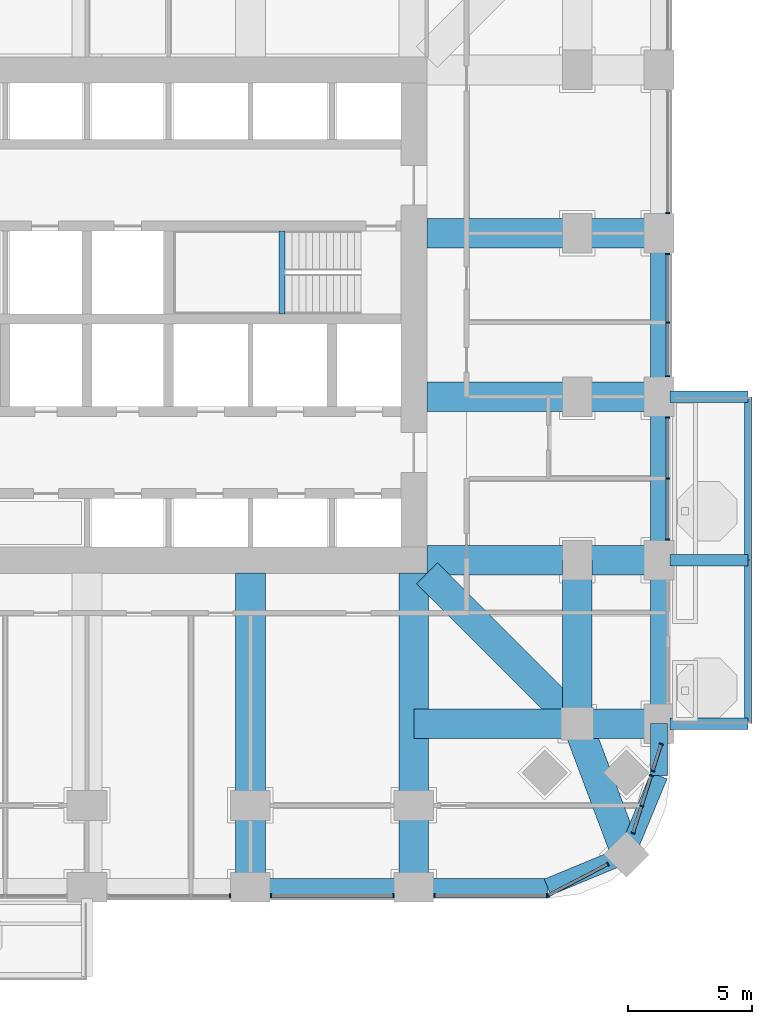
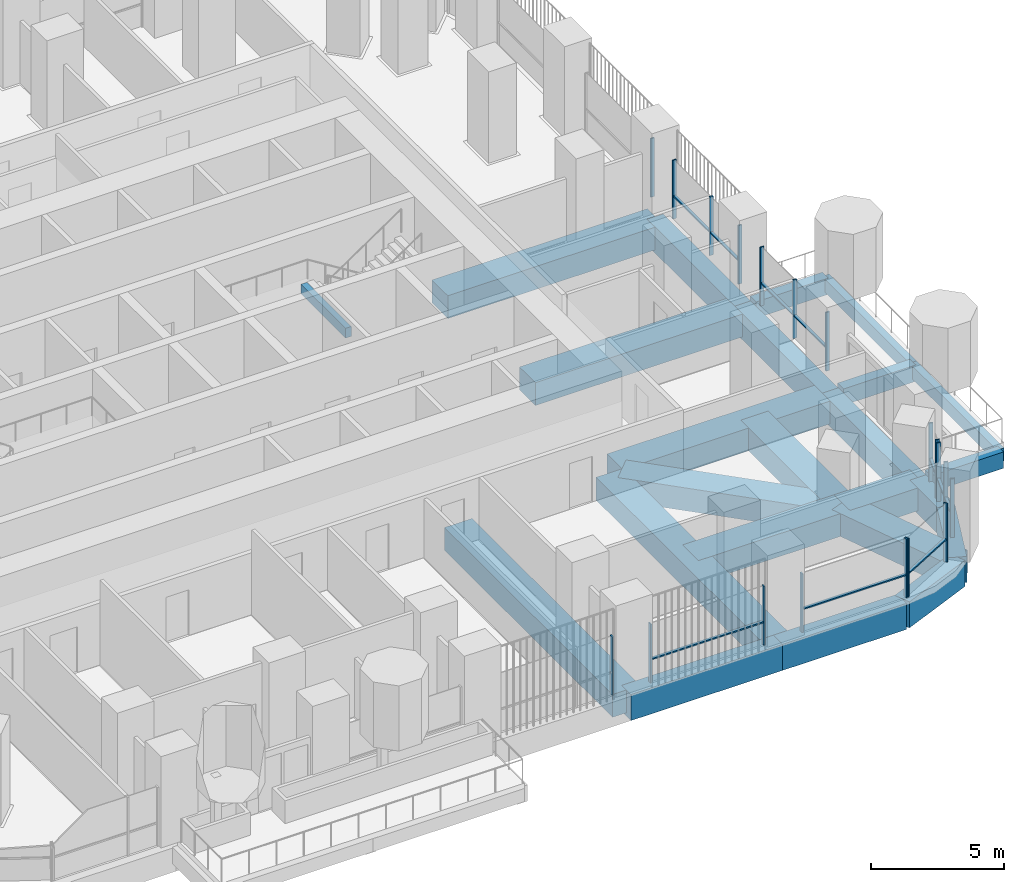
# One storey, part 5 of 21: 29 members, 24 beams, 9 elements without a shape of their own.
"""IFC4 building model written with IfcOpenShell, lengths in metres."""

import ifcopenshell
import ifcopenshell.guid

model = None  # the IFC model being written
_history = None  # IfcOwnerHistory: only IFC2X3 demands one
_inside = {}  # id of a spatial element -> (the spatial element, [elements in it])
_under = {}  # id of a project, library or spatial element -> (it, [spatial elements below it])
_declared = {}  # id of a project -> (the project, [libraries it declares])
_typed = {}  # id of a type object -> (the type object, [elements of that type])
_made_of = {}  # id of a material, layer set ... -> (it, [elements and type objects made of it])


def new_model(schema):
    """Start an empty IFC model of exactly this schema.

    Asked for "IFC4X3", IfcOpenShell would pick the latest addendum, in which some entities
    have other attributes; the version numbers below select the first issue.
    IFC2X3 requires an IfcOwnerHistory on every rooted entity: one is made here for all.
    """
    global model, _history
    if schema == "IFC4X3":
        model = ifcopenshell.file(schema_version=(4, 3, 0, 0))
    else:
        model = ifcopenshell.file(schema=schema)
    _inside.clear()
    _under.clear()
    _declared.clear()
    _typed.clear()
    _made_of.clear()
    _history = None
    if model.schema == "IFC2X3":
        org = make("IfcOrganization", Name="unknown")
        user = make(
            "IfcPersonAndOrganization",
            ThePerson=make("IfcPerson", FamilyName="unknown"),
            TheOrganization=org,
        )
        app = make(
            "IfcApplication",
            ApplicationDeveloper=org,
            Version="unknown",
            ApplicationFullName="unknown",
            ApplicationIdentifier="unknown",
        )
        _history = make(
            "IfcOwnerHistory",
            OwningUser=user,
            OwningApplication=app,
            ChangeAction="ADDED",
            CreationDate=0,
        )
    return model


def make(cls, **values):
    """One entity of the class cls with the attributes given. An attribute that is None is left unset."""
    return model.create_entity(
        cls, **{name: value for name, value in values.items() if value is not None}
    )


def rooted(cls, **values):
    """An entity with a GlobalId (a new one), such as an element, a storey or a relation."""
    return make(cls, GlobalId=ifcopenshell.guid.new(), OwnerHistory=_history, **values)


def si_unit(unit_type, name, prefix=None):
    """IfcSIUnit, for example si_unit("LENGTHUNIT", "METRE", prefix="MILLI")."""
    return make("IfcSIUnit", UnitType=unit_type, Prefix=prefix, Name=name)


def assignment(units):
    """IfcUnitAssignment: the units of a project."""
    return None if units is None else make("IfcUnitAssignment", Units=units)


def point(xyz):
    """IfcCartesianPoint."""
    return None if xyz is None else make("IfcCartesianPoint", Coordinates=xyz)


def direction(xyz):
    """IfcDirection."""
    return None if xyz is None else make("IfcDirection", DirectionRatios=xyz)


def frame(location, z_axis=None, x_axis=None):
    """IfcAxis2Placement3D, a coordinate frame: its origin and axes. An axis left out is left unset."""
    return make(
        "IfcAxis2Placement3D",
        Location=point(location),
        Axis=direction(z_axis),
        RefDirection=direction(x_axis),
    )


def frame_2d(location, x_axis=None):
    """IfcAxis2Placement2D, a coordinate frame in the plane: its origin and x axis."""
    return make(
        "IfcAxis2Placement2D", Location=point(location), RefDirection=direction(x_axis)
    )


def origin():
    """The frame at (0, 0, 0) with its axes left unset."""
    return frame((0.0, 0.0, 0.0))


def origin_2d():
    """The frame at (0, 0) in the plane with its x axis left unset."""
    return frame_2d((0.0, 0.0))


def place(relative_to, where):
    """IfcLocalPlacement: puts the frame where relative to a parent placement (None: the world)."""
    return make(
        "IfcLocalPlacement", PlacementRelTo=relative_to, RelativePlacement=where
    )


def context(
    kind, dimensions, precision=None, world=None, true_north=None, identifier=None
):
    """IfcGeometricRepresentationContext, for example the 3D "Model" context."""
    return make(
        "IfcGeometricRepresentationContext",
        ContextIdentifier=identifier,
        ContextType=kind,
        CoordinateSpaceDimension=dimensions,
        Precision=precision,
        WorldCoordinateSystem=world,
        TrueNorth=true_north,
    )


def subcontext(parent, identifier, kind, view, scale=None):
    """IfcGeometricRepresentationSubContext, for example "Body" below "Model"."""
    return make(
        "IfcGeometricRepresentationSubContext",
        ContextIdentifier=identifier,
        ContextType=kind,
        ParentContext=parent,
        TargetScale=scale,
        TargetView=view,
    )


def project(units=None, contexts=None):
    """IfcProject with its units and contexts."""
    return rooted(
        "IfcProject",
        Name="project",
        RepresentationContexts=contexts,
        UnitsInContext=assignment(units),
    )


def spatial(cls, under=None, at=None, **own):
    """A site, building, storey or space (cls), placed at a placement, below another one or the project."""
    s = rooted(cls, ObjectPlacement=at, **own)
    if under is not None:
        _under.setdefault(under.id(), (under, []))[1].append(s)
    return s


def profile(cls, at=None, kind="AREA", **sizes):
    """A parametric profile (cls). Its sizes go by their IFC names, for example OverallWidth=200.0."""
    return make(cls, ProfileType=kind, Position=at, **sizes)


def rectangle(**sizes):
    """IfcRectangleProfileDef."""
    return profile("IfcRectangleProfileDef", **sizes)


def extrude(swept, where, along, depth):
    """IfcExtrudedAreaSolid: the profile swept, set in the frame where, extruded along a direction by depth."""
    return make(
        "IfcExtrudedAreaSolid",
        SweptArea=swept,
        Position=where,
        ExtrudedDirection=direction(along),
        Depth=depth,
    )


def shape(context_of_items, identifier, shape_type, items):
    """IfcShapeRepresentation: the items that make up one representation, for example the "Body"."""
    return make(
        "IfcShapeRepresentation",
        ContextOfItems=context_of_items,
        RepresentationIdentifier=identifier,
        RepresentationType=shape_type,
        Items=items,
    )


def material(Name=None, Category=None):
    """IfcMaterial."""
    return make("IfcMaterial", Name=Name, Category=Category)


def material_profile(
    of_material, cross_section, Name=None, Category=None, Priority=None
):
    """IfcMaterialProfile: a cross section and its material."""
    return make(
        "IfcMaterialProfile",
        Name=Name,
        Material=of_material,
        Profile=cross_section,
        Priority=Priority,
        Category=Category,
    )


def profile_set(profiles, Name=None, composite=None):
    """IfcMaterialProfileSet."""
    return make(
        "IfcMaterialProfileSet",
        Name=Name,
        MaterialProfiles=profiles,
        CompositeProfile=composite,
    )


def made_of(thing, what):
    """Note that an element or type object is made of a material, layer set ...; save() writes the relation."""
    if what is not None:
        _made_of.setdefault(what.id(), (what, []))[1].append(thing)
    return thing


def type_object(cls, material=None, **own):
    """A type object (cls), such as IfcWallType, which elements share."""
    return made_of(rooted(cls, **own), material)


def element(
    cls,
    number,
    at=None,
    inside=None,
    cuts=None,
    type_object=None,
    material=None,
    context=None,
    identifier="Body",
    shape_type=None,
    held_by="IfcProductDefinitionShape",
    body=None,
    shapes=None,
    **own,
):
    """One element of the class cls, such as IfcWall. Its Tag is "e" and its number.

    at: its placement. inside: the storey or other place that contains it. cuts: it is an
    opening in that element (IfcRelVoidsElement). A single representation is given by context,
    identifier, shape_type and body (its items); several are given by shapes. held_by: the class
    of the entity that holds the representations. save() writes the other relations.
    """
    e = rooted(cls, Tag="e%d" % number, ObjectPlacement=at, **own)
    if body is not None:
        shapes = [shape(context, identifier, shape_type, body)]
    if shapes is not None:
        e.Representation = make(held_by, Representations=shapes)
    if inside is not None:
        _inside.setdefault(inside.id(), (inside, []))[1].append(e)
    if cuts is not None:
        rooted(
            "IfcRelVoidsElement", RelatingBuildingElement=cuts, RelatedOpeningElement=e
        )
    if type_object is not None:
        _typed.setdefault(type_object.id(), (type_object, []))[1].append(e)
    return made_of(e, material)


def aggregate(whole, parts):
    """IfcRelAggregates: a whole, such as a stair, and the parts it consists of."""
    return rooted("IfcRelAggregates", RelatingObject=whole, RelatedObjects=parts)


def save(model, path):
    """Write the relations noted so far, then the file.

    IfcRelAggregates (storeys below a building ...), IfcRelContainedInSpatialStructure (elements
    in a storey), IfcRelDefinesByType, IfcRelAssociatesMaterial and IfcRelDeclares: one each for
    every whole, place, type object, material and project.
    """
    for whole, parts in _under.values():
        aggregate(whole, parts)
    for where, things in _inside.values():
        rooted(
            "IfcRelContainedInSpatialStructure",
            RelatedElements=things,
            RelatingStructure=where,
        )
    for kind, things in _typed.values():
        rooted("IfcRelDefinesByType", RelatedObjects=things, RelatingType=kind)
    for what, things in _made_of.values():
        rooted("IfcRelAssociatesMaterial", RelatedObjects=things, RelatingMaterial=what)
    for by, libraries in _declared.values():
        rooted("IfcRelDeclares", RelatingContext=by, RelatedDefinitions=libraries)
    model.write(path)


model = new_model("IFC4")

# Units and contexts
model_context = context("Model", 3, precision=1e-05, world=origin(), true_north=direction((0.0, 1.0)))
body_context = subcontext(model_context, "Body", "Model", "MODEL_VIEW")
ifc_project = project(units=[si_unit("LENGTHUNIT", "METRE"), si_unit("AREAUNIT", "SQUARE_METRE"), si_unit("VOLUMEUNIT", "CUBIC_METRE"), si_unit("PLANEANGLEUNIT", "RADIAN"), si_unit("MASSUNIT", "GRAM", prefix="KILO")], contexts=[model_context])

# Site, building, storey
site_placement = place(None, origin())
site = spatial("IfcSite", under=ifc_project, at=site_placement, CompositionType="ELEMENT")
building_placement = place(site_placement, origin())
building = spatial("IfcBuilding", under=site, at=building_placement, Name="Cobogo Forest Laboratory Tower", CompositionType="ELEMENT")
storey_placement = place(building_placement, frame((0.0, 0.0, 99.0)))
storey = spatial("IfcBuildingStorey", under=building, at=storey_placement, Name="L22", CompositionType="ELEMENT", Elevation=99.0)

# Beams
ifc_material_1 = material(Name="Concrete HA-40 (C40/50)", Category="concrete")
ifc_material_profile_1 = material_profile(ifc_material_1, rectangle(XDim=0.449951171875, YDim=0.75, at=origin_2d()), Name="RC 450x750")
ifc_profile_set_1 = profile_set([ifc_material_profile_1], Name="Concrete HA-40 (C40/50)")
beam_type_1 = type_object("IfcBeamType", Name="Balcony cantilever beam 450x750", PredefinedType="BEAM", material=ifc_profile_set_1)
for number, where, z_axis, x_axis, name in (
    (1, (49.949951171875, 6.60009765625, -0.625), (1.0, 0.0, 0.0), (0.0, 1.0, 0.0), "CB1 BAL-E1-C1 L22"),
    (2, (49.949951171875, 13.199951171875, -0.625), (1.0, 0.0, 0.0), (0.0, 1.0, 0.0), "CB1 BAL-E1-C2 L22"),
    (3, (49.949951171875, 19.800048828125, -0.625), (1.0, 0.0, 0.0), (0.0, 1.0, 0.0), "CB1 BAL-E1-C3 L22"),
):
    element("IfcBeam", number, at=place(storey_placement, frame(where, z_axis=z_axis, x_axis=x_axis)), inside=storey, type_object=beam_type_1, Name=name, PredefinedType="BEAM", context=body_context, shape_type="SweptSolid", body=[
        extrude(rectangle(XDim=0.449951171875, YDim=0.75, at=origin_2d()), origin(), (0.0, 0.0, 1.0), 3.150146484375),
    ])
ifc_material_profile_2 = material_profile(ifc_material_1, rectangle(XDim=0.300048828125, YDim=0.60009765625, at=origin_2d()), Name="RC 300x600")
ifc_profile_set_2 = profile_set([ifc_material_profile_2], Name="Concrete HA-40 (C40/50)")
beam_type_2 = type_object("IfcBeamType", Name="Balcony edge beam 300x600", PredefinedType="BEAM", material=ifc_profile_set_2)
beam_1_placement = place(storey_placement, frame((53.10009765625, 6.60009765625, -0.550048828125), z_axis=(0.0, 1.0, 0.0), x_axis=(-1.0, 0.0, 0.0)))
element("IfcBeam", 4, at=beam_1_placement, inside=storey, type_object=beam_type_2, Name="BB1 BAL-E1-T1 L22", PredefinedType="BEAM", context=body_context, shape_type="SweptSolid", body=[
    extrude(rectangle(XDim=0.300048828125, YDim=0.60009765625, at=origin_2d()), origin(), (0.0, 0.0, 1.0), 6.599853515625),
])
beam_2_placement = place(storey_placement, frame((53.10009765625, 13.199951171875, -0.550048828125), z_axis=(0.0, 1.0, 0.0), x_axis=(-1.0, 0.0, 0.0)))
element("IfcBeam", 5, at=beam_2_placement, inside=storey, type_object=beam_type_2, Name="BB1 BAL-E1-T2 L22", PredefinedType="BEAM", context=body_context, shape_type="SweptSolid", body=[
    extrude(rectangle(XDim=0.300048828125, YDim=0.60009765625, at=origin_2d()), origin(), (0.0, 0.0, 1.0), 6.60009765625),
])
ifc_material_profile_3 = material_profile(ifc_material_1, rectangle(XDim=0.25, YDim=0.449951171875, at=origin_2d()), Name="RC 250x450")
ifc_profile_set_3 = profile_set([ifc_material_profile_3], Name="Concrete HA-40 (C40/50)")
beam_type_3 = type_object("IfcBeamType", Name="LB1 landing beam 250x450", PredefinedType="BEAM", material=ifc_profile_set_3)
beam_3_placement = place(storey_placement, frame((34.27001953125, 23.14990234375, 1.675048828125), z_axis=(0.0, 1.0, 0.0), x_axis=(-1.0, 0.0, 0.0)))
element("IfcBeam", 6, at=beam_3_placement, inside=storey, type_object=beam_type_3, Name="Landing beam ST2 L22", PredefinedType="BEAM", context=body_context, shape_type="SweptSolid", body=[
    extrude(rectangle(XDim=0.25, YDim=0.449951171875, at=origin_2d()), origin(), (0.0, 0.0, 1.0), 3.35009765625),
])
ifc_material_profile_4 = material_profile(ifc_material_1, rectangle(XDim=1.199951171875, YDim=1.050048828125, at=origin_2d()), Name="RC 1200x1050")
ifc_profile_set_4 = profile_set([ifc_material_profile_4], Name="Concrete HA-40 (C40/50)")
beam_type_4 = type_object("IfcBeamType", Name="Laboratory floor wide beam 1200x1050", PredefinedType="BEAM", material=ifc_profile_set_4)
for number, where, z_axis, x_axis, name in (
    (7, (33.0, 12.675048828125, -0.824951171875), (0.0, -1.0, 0.0), (1.0, 0.0, 0.0), "RB1 R-6-S L22"),
    (8, (39.60009765625, 12.675048828125, -0.824951171875), (0.0, -1.0, 0.0), (1.0, 0.0, 0.0), "RB1 R-7-S L22"),
):
    element("IfcBeam", number, at=place(storey_placement, frame(where, z_axis=z_axis, x_axis=x_axis)), inside=storey, type_object=beam_type_4, Name=name, PredefinedType="BEAM", context=body_context, shape_type="SweptSolid", body=[
        extrude(rectangle(XDim=1.199951171875, YDim=1.050048828125, at=origin_2d()), origin(), (0.0, 0.0, 1.0), 12.675048828125),
    ])
for number, where, z_axis, x_axis, name in (
    (9, (40.125, 13.199951171875, -0.824951171875), (1.0, 0.0, 0.0), (0.0, 1.0, 0.0), "RB1 R-C-E L22"),
    (10, (40.125, 19.800048828125, -0.824951171875), (1.0, 0.0, 0.0), (0.0, 1.0, 0.0), "RB1 R-D-E L22"),
    (11, (40.125, 26.39990234375, -0.824951171875), (1.0, 0.0, 0.0), (0.0, 1.0, 0.0), "RB1 R-E-E L22"),
):
    element("IfcBeam", number, at=place(storey_placement, frame(where, z_axis=z_axis, x_axis=x_axis)), inside=storey, type_object=beam_type_4, Name=name, PredefinedType="BEAM", context=body_context, shape_type="SweptSolid", body=[
        extrude(rectangle(XDim=1.199951171875, YDim=1.050048828125, at=origin_2d()), origin(), (0.0, 0.0, 1.0), 9.375),
    ])
beam_4_placement = place(storey_placement, frame((46.199951171875, 6.60009765625, -0.824951171875), z_axis=(0.0, 1.0, 0.0), x_axis=(-1.0, 0.0, 0.0)))
element("IfcBeam", 12, at=beam_4_placement, inside=storey, type_object=beam_type_4, Name="RB1 G-SE-XC L22", PredefinedType="BEAM", context=body_context, shape_type="SweptSolid", body=[
    extrude(rectangle(XDim=1.199951171875, YDim=1.050048828125, at=origin_2d()), origin(), (0.0, 0.0, 1.0), 6.599853515625),
])
beam_5_placement = place(storey_placement, frame((49.5, 6.60009765625, -0.824951171875), z_axis=(-1.0, 0.0, 0.0), x_axis=(0.0, -1.0, 0.0)))
element("IfcBeam", 13, at=beam_5_placement, inside=storey, type_object=beam_type_4, Name="RB1 G-SE-YF L22", PredefinedType="BEAM", context=body_context, shape_type="SweptSolid", body=[
    extrude(rectangle(XDim=1.199951171875, YDim=1.050048828125, at=origin_2d()), origin(), (0.0, 0.0, 1.0), 3.300048828125),
])
beam_6_placement = place(storey_placement, frame((46.199951171875, 6.60009765625, -0.824951171875), z_axis=(-1.0, 0.0, 0.0), x_axis=(0.0, -1.0, 0.0)))
element("IfcBeam", 14, at=beam_6_placement, inside=storey, type_object=beam_type_4, Name="RB1 G-SE-YC L22", PredefinedType="BEAM", context=body_context, shape_type="SweptSolid", body=[
    extrude(rectangle(XDim=1.199951171875, YDim=1.050048828125, at=origin_2d()), origin(), (0.0, 0.0, 1.0), 6.599853515625),
])
beam_7_placement = place(storey_placement, frame((48.181884765625, 1.318115234375, -0.824951171875), z_axis=(-0.351308391925, 0.936259800356, 0.0), x_axis=(-0.936259800356, -0.351308391925, 0.0)))
element("IfcBeam", 15, at=beam_7_placement, inside=storey, type_object=beam_type_4, Name="RB1 G-SE-D1 L22", PredefinedType="BEAM", context=body_context, shape_type="SweptSolid", body=[
    extrude(rectangle(XDim=1.199951171875, YDim=1.050048828125, at=origin_2d()), origin(), (0.0, 0.0, 1.0), 5.6416015625),
])
beam_8_placement = place(storey_placement, frame((46.199951171875, 6.60009765625, -0.824951171875), z_axis=(-0.707106781187, 0.707106781187, 0.0), x_axis=(-0.707106781187, -0.707106781187, 0.0)))
element("IfcBeam", 16, at=beam_8_placement, inside=storey, type_object=beam_type_4, Name="RB1 G-SE-D2 L22", PredefinedType="BEAM", context=body_context, shape_type="SweptSolid", body=[
    extrude(rectangle(XDim=1.199951171875, YDim=1.050048828125, at=origin_2d()), origin(), (0.0, 0.0, 1.0), 8.59130859375),
])

# Curtain wall, member
ifc_material_2 = material(Name="Aluminium curtain wall", Category="aluminium")
curtain_wall_type = type_object("IfcCurtainWallType", Name="CW-1 unitised curtain wall, clear glazing, laboratory floors zones A and B", PredefinedType="USERDEFINED", material=ifc_material_2)
curtain_wall_1_placement = place(storey_placement, origin())
curtain_wall_1 = element("IfcCurtainWall", 17, at=curtain_wall_1_placement, inside=storey, type_object=curtain_wall_type, Name="Curtain wall 04 L22", ObjectType="UNITISED CURTAIN WALL", PredefinedType="USERDEFINED")
ifc_material_3 = material(Name="Aluminium mullion", Category="aluminium")
ifc_material_profile_5 = material_profile(ifc_material_3, rectangle(XDim=0.06005859375, YDim=0.159912109375, at=origin_2d()), Name="AL 60x160")
ifc_profile_set_5 = profile_set([ifc_material_profile_5], Name="Aluminium mullion")
member_type_1 = type_object("IfcMemberType", Name="MU-1 aluminium mullion 60x160", PredefinedType="MULLION", material=ifc_profile_set_5)
member_1_placement = place(storey_placement, frame((32.169921875, -0.35009765625, 0.0), z_axis=(0.0, 0.0, 1.0), x_axis=(1.0, 0.0, 0.0)))
member_1 = element("IfcMember", 18, at=member_1_placement, type_object=member_type_1, Name="CW-1 mullion 3", PredefinedType="MULLION", context=body_context, shape_type="SweptSolid", body=[
    extrude(rectangle(XDim=0.06005859375, YDim=0.159912109375, at=origin_2d()), origin(), (0.0, 0.0, 1.0), 2.699951171875),
])
aggregate(curtain_wall_1, [member_1])

# Curtain wall, members
curtain_wall_2_placement = place(storey_placement, origin())
curtain_wall_2 = element("IfcCurtainWall", 19, at=curtain_wall_2_placement, inside=storey, type_object=curtain_wall_type, Name="Curtain wall 05 L22", ObjectType="UNITISED CURTAIN WALL", PredefinedType="USERDEFINED")
member_2_placement = place(storey_placement, frame((33.830078125, -0.35009765625, 0.0), z_axis=(0.0, 0.0, 1.0), x_axis=(1.0, 0.0, 0.0)))
member_2 = element("IfcMember", 20, at=member_2_placement, type_object=member_type_1, Name="CW-1 mullion 1", PredefinedType="MULLION", context=body_context, shape_type="SweptSolid", body=[
    extrude(rectangle(XDim=0.06005859375, YDim=0.159912109375, at=origin_2d()), origin(), (0.0, 0.0, 1.0), 2.699951171875),
])
member_3_placement = place(storey_placement, frame((38.77001953125, -0.35009765625, 0.0), z_axis=(0.0, 0.0, 1.0), x_axis=(1.0, 0.0, 0.0)))
member_3 = element("IfcMember", 21, at=member_3_placement, type_object=member_type_1, Name="CW-1 mullion 2", PredefinedType="MULLION", context=body_context, shape_type="SweptSolid", body=[
    extrude(rectangle(XDim=0.06005859375, YDim=0.159912109375, at=origin_2d()), origin(), (0.0, 0.0, 1.0), 2.699951171875),
])

curtain_wall_3_placement = place(storey_placement, origin())
curtain_wall_3 = element("IfcCurtainWall", 22, at=curtain_wall_3_placement, inside=storey, type_object=curtain_wall_type, Name="Curtain wall 06 L22", ObjectType="UNITISED CURTAIN WALL", PredefinedType="USERDEFINED")
member_4_placement = place(storey_placement, frame((40.429931640625, -0.35009765625, 0.0), z_axis=(0.0, 0.0, 1.0), x_axis=(1.0, 0.0, 0.0)))
member_4 = element("IfcMember", 23, at=member_4_placement, type_object=member_type_1, Name="CW-1 mullion 1", PredefinedType="MULLION", context=body_context, shape_type="SweptSolid", body=[
    extrude(rectangle(XDim=0.06005859375, YDim=0.159912109375, at=origin_2d()), origin(), (0.0, 0.0, 1.0), 2.699951171875),
])
member_5_placement = place(storey_placement, frame((44.969970703125, -0.35009765625, 0.0), z_axis=(0.0, 0.0, 1.0), x_axis=(1.0, 0.0, 0.0)))
member_5 = element("IfcMember", 24, at=member_5_placement, type_object=member_type_1, Name="CW-1 mullion 2", PredefinedType="MULLION", context=body_context, shape_type="SweptSolid", body=[
    extrude(rectangle(XDim=0.06005859375, YDim=0.159912109375, at=origin_2d()), origin(), (0.0, 0.0, 1.0), 2.699951171875),
])

curtain_wall_4_placement = place(storey_placement, origin())
curtain_wall_4 = element("IfcCurtainWall", 25, at=curtain_wall_4_placement, inside=storey, type_object=curtain_wall_type, Name="Curtain wall 07 L22", ObjectType="UNITISED CURTAIN WALL", PredefinedType="USERDEFINED")
member_6_placement = place(storey_placement, frame((45.026611328125, -0.336181640625, 0.0), z_axis=(0.0, 0.0, 1.0), x_axis=(0.885686547075, 0.464283685186, 0.0)))
member_6 = element("IfcMember", 26, at=member_6_placement, type_object=member_type_1, Name="CW-1 mullion 1", PredefinedType="MULLION", context=body_context, shape_type="SweptSolid", body=[
    extrude(rectangle(XDim=0.06005859375, YDim=0.159912109375, at=origin_2d()), origin(), (0.0, 0.0, 1.0), 2.699951171875),
])
member_7_placement = place(storey_placement, frame((47.431640625, 0.9248046875, 0.0), z_axis=(0.0, 0.0, 1.0), x_axis=(0.885686547075, 0.464283685186, 0.0)))
member_7 = element("IfcMember", 27, at=member_7_placement, type_object=member_type_1, Name="CW-1 mullion 2", PredefinedType="MULLION", context=body_context, shape_type="SweptSolid", body=[
    extrude(rectangle(XDim=0.06005859375, YDim=0.159912109375, at=origin_2d()), origin(), (0.0, 0.0, 1.0), 2.699951171875),
])

curtain_wall_5_placement = place(storey_placement, origin())
curtain_wall_5 = element("IfcCurtainWall", 28, at=curtain_wall_5_placement, inside=storey, type_object=curtain_wall_type, Name="Curtain wall 08 L22", ObjectType="UNITISED CURTAIN WALL", PredefinedType="USERDEFINED")
member_8_placement = place(storey_placement, frame((48.455810546875, 2.18505859375, 0.0), z_axis=(0.0, 0.0, 1.0), x_axis=(0.301135291996, 0.953581425949, 0.0)))
member_8 = element("IfcMember", 29, at=member_8_placement, type_object=member_type_1, Name="CW-1 mullion 1", PredefinedType="MULLION", context=body_context, shape_type="SweptSolid", body=[
    extrude(rectangle(XDim=0.06005859375, YDim=0.159912109375, at=origin_2d()), origin(), (0.0, 0.0, 1.0), 2.699951171875),
])
member_9_placement = place(storey_placement, frame((48.80029296875, 3.27587890625, 0.0), z_axis=(0.0, 0.0, 1.0), x_axis=(0.301135291996, 0.953581425949, 0.0)))
member_9 = element("IfcMember", 30, at=member_9_placement, type_object=member_type_1, Name="CW-1 mullion 2", PredefinedType="MULLION", context=body_context, shape_type="SweptSolid", body=[
    extrude(rectangle(XDim=0.06005859375, YDim=0.159912109375, at=origin_2d()), origin(), (0.0, 0.0, 1.0), 2.699951171875),
])
member_10_placement = place(storey_placement, frame((49.18701171875, 4.500244140625, 0.0), z_axis=(0.0, 0.0, 1.0), x_axis=(0.301135291996, 0.953581425949, 0.0)))
member_10 = element("IfcMember", 31, at=member_10_placement, type_object=member_type_1, Name="CW-1 mullion 3", PredefinedType="MULLION", context=body_context, shape_type="SweptSolid", body=[
    extrude(rectangle(XDim=0.06005859375, YDim=0.159912109375, at=origin_2d()), origin(), (0.0, 0.0, 1.0), 2.699951171875),
])

curtain_wall_6_placement = place(storey_placement, origin())
curtain_wall_6 = element("IfcCurtainWall", 32, at=curtain_wall_6_placement, inside=storey, type_object=curtain_wall_type, Name="Curtain wall 09 L22", ObjectType="UNITISED CURTAIN WALL", PredefinedType="USERDEFINED")
member_11_placement = place(storey_placement, frame((49.247802734375, 4.69287109375, 0.0), z_axis=(0.0, 0.0, 1.0), x_axis=(0.301135667865, 0.953581307252, 0.0)))
member_11 = element("IfcMember", 33, at=member_11_placement, type_object=member_type_1, Name="CW-1 mullion 1", PredefinedType="MULLION", context=body_context, shape_type="SweptSolid", body=[
    extrude(rectangle(XDim=0.06005859375, YDim=0.159912109375, at=origin_2d()), origin(), (0.0, 0.0, 1.0), 2.699951171875),
])
member_12_placement = place(storey_placement, frame((49.58837890625, 5.771484375, 0.0), z_axis=(0.0, 0.0, 1.0), x_axis=(0.301135667865, 0.953581307252, 0.0)))
member_12 = element("IfcMember", 34, at=member_12_placement, type_object=member_type_1, Name="CW-1 mullion 2", PredefinedType="MULLION", context=body_context, shape_type="SweptSolid", body=[
    extrude(rectangle(XDim=0.06005859375, YDim=0.159912109375, at=origin_2d()), origin(), (0.0, 0.0, 1.0), 2.699951171875),
])

curtain_wall_7_placement = place(storey_placement, origin())
curtain_wall_7 = element("IfcCurtainWall", 35, at=curtain_wall_7_placement, inside=storey, type_object=curtain_wall_type, Name="Curtain wall 11 L22", ObjectType="UNITISED CURTAIN WALL", PredefinedType="USERDEFINED")
member_13_placement = place(storey_placement, frame((49.85009765625, 14.030029296875, 0.0), z_axis=(0.0, 0.0, 1.0), x_axis=(0.0, 1.0, 0.0)))
member_13 = element("IfcMember", 36, at=member_13_placement, type_object=member_type_1, Name="CW-1 mullion 1", PredefinedType="MULLION", context=body_context, shape_type="SweptSolid", body=[
    extrude(rectangle(XDim=0.06005859375, YDim=0.159912109375, at=origin_2d()), origin(), (0.0, 0.0, 1.0), 2.699951171875),
])
member_14_placement = place(storey_placement, frame((49.85009765625, 16.5, 0.0), z_axis=(0.0, 0.0, 1.0), x_axis=(0.0, 1.0, 0.0)))
member_14 = element("IfcMember", 37, at=member_14_placement, type_object=member_type_1, Name="CW-1 mullion 2", PredefinedType="MULLION", context=body_context, shape_type="SweptSolid", body=[
    extrude(rectangle(XDim=0.06005859375, YDim=0.159912109375, at=origin_2d()), origin(), (0.0, 0.0, 1.0), 2.699951171875),
])
member_15_placement = place(storey_placement, frame((49.85009765625, 18.969970703125, 0.0), z_axis=(0.0, 0.0, 1.0), x_axis=(0.0, 1.0, 0.0)))
member_15 = element("IfcMember", 38, at=member_15_placement, type_object=member_type_1, Name="CW-1 mullion 3", PredefinedType="MULLION", context=body_context, shape_type="SweptSolid", body=[
    extrude(rectangle(XDim=0.06005859375, YDim=0.159912109375, at=origin_2d()), origin(), (0.0, 0.0, 1.0), 2.699951171875),
])

curtain_wall_8_placement = place(storey_placement, origin())
curtain_wall_8 = element("IfcCurtainWall", 39, at=curtain_wall_8_placement, inside=storey, type_object=curtain_wall_type, Name="Curtain wall 12 L22", ObjectType="UNITISED CURTAIN WALL", PredefinedType="USERDEFINED")
member_16_placement = place(storey_placement, frame((49.85009765625, 20.6298828125, 0.0), z_axis=(0.0, 0.0, 1.0), x_axis=(0.0, 1.0, 0.0)))
member_16 = element("IfcMember", 40, at=member_16_placement, type_object=member_type_1, Name="CW-1 mullion 1", PredefinedType="MULLION", context=body_context, shape_type="SweptSolid", body=[
    extrude(rectangle(XDim=0.06005859375, YDim=0.159912109375, at=origin_2d()), origin(), (0.0, 0.0, 1.0), 2.699951171875),
])
member_17_placement = place(storey_placement, frame((49.85009765625, 22.800048828125, 0.0), z_axis=(0.0, 0.0, 1.0), x_axis=(0.0, 1.0, 0.0)))
member_17 = element("IfcMember", 41, at=member_17_placement, type_object=member_type_1, Name="CW-1 mullion 2", PredefinedType="MULLION", context=body_context, shape_type="SweptSolid", body=[
    extrude(rectangle(XDim=0.06005859375, YDim=0.159912109375, at=origin_2d()), origin(), (0.0, 0.0, 1.0), 2.699951171875),
])
member_18_placement = place(storey_placement, frame((49.85009765625, 25.570068359375, 0.0), z_axis=(0.0, 0.0, 1.0), x_axis=(0.0, 1.0, 0.0)))
member_18 = element("IfcMember", 42, at=member_18_placement, type_object=member_type_1, Name="CW-1 mullion 3", PredefinedType="MULLION", context=body_context, shape_type="SweptSolid", body=[
    extrude(rectangle(XDim=0.06005859375, YDim=0.159912109375, at=origin_2d()), origin(), (0.0, 0.0, 1.0), 2.699951171875),
])

# Curtain wall, member
curtain_wall_9_placement = place(storey_placement, origin())
curtain_wall_9 = element("IfcCurtainWall", 43, at=curtain_wall_9_placement, inside=storey, type_object=curtain_wall_type, Name="Curtain wall 13 L22", ObjectType="UNITISED CURTAIN WALL", PredefinedType="USERDEFINED")
member_19_placement = place(storey_placement, frame((49.85009765625, 27.22998046875, 0.0), z_axis=(0.0, 0.0, 1.0), x_axis=(0.0, 1.0, 0.0)))
member_19 = element("IfcMember", 44, at=member_19_placement, type_object=member_type_1, Name="CW-1 mullion 1", PredefinedType="MULLION", context=body_context, shape_type="SweptSolid", body=[
    extrude(rectangle(XDim=0.06005859375, YDim=0.159912109375, at=origin_2d()), origin(), (0.0, 0.0, 1.0), 2.699951171875),
])
aggregate(curtain_wall_9, [member_19])

# Beams
ifc_material_profile_6 = material_profile(ifc_material_1, rectangle(XDim=0.699951171875, YDim=1.199951171875, at=origin_2d()), Name="RC 700x1200")
ifc_profile_set_6 = profile_set([ifc_material_profile_6], Name="Concrete HA-40 (C40/50)")
beam_type_5 = type_object("IfcBeamType", Name="Perimeter edge beam 700x1200", PredefinedType="BEAM", material=ifc_profile_set_6)
beam_9_placement = place(storey_placement, frame((33.0, 0.0, -0.89990234375), z_axis=(1.0, 0.0, 0.0), x_axis=(0.0, 1.0, 0.0)))
element("IfcBeam", 45, at=beam_9_placement, inside=storey, type_object=beam_type_5, Name="EB1 E-S4 L22", PredefinedType="BEAM", context=body_context, shape_type="SweptSolid", body=[
    extrude(rectangle(XDim=0.699951171875, YDim=1.199951171875, at=origin_2d()), origin(), (0.0, 0.0, 1.0), 6.60009765625),
])
beam_10_placement = place(storey_placement, frame((49.5, 6.60009765625, -0.89990234375), z_axis=(0.0, 1.0, 0.0), x_axis=(-1.0, 0.0, 0.0)))
element("IfcBeam", 46, at=beam_10_placement, inside=storey, type_object=beam_type_5, Name="EB1 E-E1 L22", PredefinedType="BEAM", context=body_context, shape_type="SweptSolid", body=[
    extrude(rectangle(XDim=0.699951171875, YDim=1.199951171875, at=origin_2d()), origin(), (0.0, 0.0, 1.0), 6.599853515625),
])
beam_11_placement = place(storey_placement, frame((49.5, 13.199951171875, -0.89990234375), z_axis=(0.0, 1.0, 0.0), x_axis=(-1.0, 0.0, 0.0)))
element("IfcBeam", 47, at=beam_11_placement, inside=storey, type_object=beam_type_5, Name="EB1 E-E2 L22", PredefinedType="BEAM", context=body_context, shape_type="SweptSolid", body=[
    extrude(rectangle(XDim=0.699951171875, YDim=1.199951171875, at=origin_2d()), origin(), (0.0, 0.0, 1.0), 6.60009765625),
])
beam_12_placement = place(storey_placement, frame((49.5, 19.800048828125, -0.89990234375), z_axis=(0.0, 1.0, 0.0), x_axis=(-1.0, 0.0, 0.0)))
element("IfcBeam", 48, at=beam_12_placement, inside=storey, type_object=beam_type_5, Name="EB1 E-E3 L22", PredefinedType="BEAM", context=body_context, shape_type="SweptSolid", body=[
    extrude(rectangle(XDim=0.699951171875, YDim=1.199951171875, at=origin_2d()), origin(), (0.0, 0.0, 1.0), 6.599853515625),
])
beam_13_placement = place(storey_placement, frame((39.60009765625, 0.0, -0.89990234375), z_axis=(1.0, 0.0, 0.0), x_axis=(0.0, 1.0, 0.0)))
element("IfcBeam", 49, at=beam_13_placement, inside=storey, type_object=beam_type_5, Name="EB1 E-SES1 L22", PredefinedType="BEAM", context=body_context, shape_type="SweptSolid", body=[
    extrude(rectangle(XDim=0.699951171875, YDim=1.199951171875, at=origin_2d()), origin(), (0.0, 0.0, 1.0), 5.39990234375),
])
beam_14_placement = place(storey_placement, frame((45.0, 0.0, -0.89990234375), z_axis=(0.923865631356, 0.382716990999, 0.0), x_axis=(-0.382716990999, 0.923865631356, 0.0)))
element("IfcBeam", 50, at=beam_14_placement, inside=storey, type_object=beam_type_5, Name="EB1 E-SES2 L22", PredefinedType="BEAM", context=body_context, shape_type="SweptSolid", body=[
    extrude(rectangle(XDim=0.699951171875, YDim=1.199951171875, at=origin_2d()), origin(), (0.0, 0.0, 1.0), 3.444091796875),
])
beam_15_placement = place(storey_placement, frame((49.5, 6.60009765625, -0.89990234375), z_axis=(0.0, -1.0, 0.0), x_axis=(1.0, 0.0, 0.0)))
element("IfcBeam", 51, at=beam_15_placement, inside=storey, type_object=beam_type_5, Name="EB1 E-SEE1 L22", PredefinedType="BEAM", context=body_context, shape_type="SweptSolid", body=[
    extrude(rectangle(XDim=0.699951171875, YDim=1.199951171875, at=origin_2d()), origin(), (0.0, 0.0, 1.0), 2.10009765625),
])
beam_16_placement = place(storey_placement, frame((49.5, 4.5, -0.89990234375), z_axis=(-0.382716990999, -0.923865631356, 0.0), x_axis=(0.923865631356, -0.382716990999, 0.0)))
element("IfcBeam", 52, at=beam_16_placement, inside=storey, type_object=beam_type_5, Name="EB1 E-SEE2 L22", PredefinedType="BEAM", context=body_context, shape_type="SweptSolid", body=[
    extrude(rectangle(XDim=0.699951171875, YDim=1.199951171875, at=origin_2d()), origin(), (0.0, 0.0, 1.0), 3.444091796875),
])

# Member
ifc_material_4 = material(Name="Aluminium transom", Category="aluminium")
ifc_material_profile_7 = material_profile(ifc_material_4, rectangle(XDim=0.1201171875, YDim=0.06005859375, at=origin_2d()), Name="AL 60x120")
ifc_profile_set_7 = profile_set([ifc_material_profile_7], Name="Aluminium transom")
member_type_2 = type_object("IfcMemberType", Name="TR-1 aluminium transom 60x120", PredefinedType="USERDEFINED", material=ifc_profile_set_7)
member_20_placement = place(storey_placement, frame((33.860107421875, -0.35009765625, 1.050048828125), z_axis=(1.0, 0.0, 0.0), x_axis=(0.0, 1.0, 0.0)))
member_20 = element("IfcMember", 53, at=member_20_placement, type_object=member_type_2, Name="CW-1 transom 1.1", ObjectType="TRANSOM", PredefinedType="USERDEFINED", context=body_context, shape_type="SweptSolid", body=[
    extrude(rectangle(XDim=0.1201171875, YDim=0.06005859375, at=origin_2d()), origin(), (0.0, 0.0, 1.0), 4.8798828125),
])

aggregate(curtain_wall_2, [member_2, member_3, member_20])

member_21_placement = place(storey_placement, frame((40.4599609375, -0.35009765625, 1.050048828125), z_axis=(1.0, 0.0, 0.0), x_axis=(0.0, 1.0, 0.0)))
member_21 = element("IfcMember", 54, at=member_21_placement, type_object=member_type_2, Name="CW-1 transom 1.1", ObjectType="TRANSOM", PredefinedType="USERDEFINED", context=body_context, shape_type="SweptSolid", body=[
    extrude(rectangle(XDim=0.1201171875, YDim=0.06005859375, at=origin_2d()), origin(), (0.0, 0.0, 1.0), 4.47998046875),
])

aggregate(curtain_wall_3, [member_4, member_5, member_21])

member_22_placement = place(storey_placement, frame((45.05322265625, -0.322021484375, 1.050048828125), z_axis=(0.885674922116, 0.464305860758, 0.0), x_axis=(-0.464305860758, 0.885674922116, 0.0)))
member_22 = element("IfcMember", 55, at=member_22_placement, type_object=member_type_2, Name="CW-1 transom 1.1", ObjectType="TRANSOM", PredefinedType="USERDEFINED", context=body_context, shape_type="SweptSolid", body=[
    extrude(rectangle(XDim=0.1201171875, YDim=0.06005859375, at=origin_2d()), origin(), (0.0, 0.0, 1.0), 2.6552734375),
])

aggregate(curtain_wall_4, [member_6, member_7, member_22])

member_23_placement = place(storey_placement, frame((48.46484375, 2.213623046875, 1.050048828125), z_axis=(0.301120589075, 0.953586068918, 0.0), x_axis=(-0.953586068918, 0.301120589075, 0.0)))
member_23 = element("IfcMember", 56, at=member_23_placement, type_object=member_type_2, Name="CW-1 transom 1.1", ObjectType="TRANSOM", PredefinedType="USERDEFINED", context=body_context, shape_type="SweptSolid", body=[
    extrude(rectangle(XDim=0.1201171875, YDim=0.06005859375, at=origin_2d()), origin(), (0.0, 0.0, 1.0), 1.083984375),
])

member_24_placement = place(storey_placement, frame((48.809326171875, 3.304443359375, 1.050048828125), z_axis=(0.301169549566, 0.953570606937, 0.0), x_axis=(-0.953570606937, 0.301169549566, 0.0)))
member_24 = element("IfcMember", 57, at=member_24_placement, type_object=member_type_2, Name="CW-1 transom 2.1", ObjectType="TRANSOM", PredefinedType="USERDEFINED", context=body_context, shape_type="SweptSolid", body=[
    extrude(rectangle(XDim=0.1201171875, YDim=0.06005859375, at=origin_2d()), origin(), (0.0, 0.0, 1.0), 1.22412109375),
])

aggregate(curtain_wall_5, [member_8, member_9, member_10, member_23, member_24])

member_25_placement = place(storey_placement, frame((49.2568359375, 4.7216796875, 1.050048828125), z_axis=(0.301207754852, 0.953558539586, 0.0), x_axis=(-0.953558539586, 0.301207754852, 0.0)))
member_25 = element("IfcMember", 58, at=member_25_placement, type_object=member_type_2, Name="CW-1 transom 1.1", ObjectType="TRANSOM", PredefinedType="USERDEFINED", context=body_context, shape_type="SweptSolid", body=[
    extrude(rectangle(XDim=0.1201171875, YDim=0.06005859375, at=origin_2d()), origin(), (0.0, 0.0, 1.0), 1.07080078125),
])

aggregate(curtain_wall_6, [member_11, member_12, member_25])

member_26_placement = place(storey_placement, frame((49.85009765625, 14.06005859375, 1.050048828125), z_axis=(0.0, 1.0, 0.0), x_axis=(-1.0, 0.0, 0.0)))
member_26 = element("IfcMember", 59, at=member_26_placement, type_object=member_type_2, Name="CW-1 transom 1.1", ObjectType="TRANSOM", PredefinedType="USERDEFINED", context=body_context, shape_type="SweptSolid", body=[
    extrude(rectangle(XDim=0.1201171875, YDim=0.06005859375, at=origin_2d()), origin(), (0.0, 0.0, 1.0), 2.409912109375),
])

member_27_placement = place(storey_placement, frame((49.85009765625, 16.530029296875, 1.050048828125), z_axis=(0.0, 1.0, 0.0), x_axis=(-1.0, 0.0, 0.0)))
member_27 = element("IfcMember", 60, at=member_27_placement, type_object=member_type_2, Name="CW-1 transom 2.1", ObjectType="TRANSOM", PredefinedType="USERDEFINED", context=body_context, shape_type="SweptSolid", body=[
    extrude(rectangle(XDim=0.1201171875, YDim=0.06005859375, at=origin_2d()), origin(), (0.0, 0.0, 1.0), 2.409912109375),
])

aggregate(curtain_wall_7, [member_13, member_14, member_15, member_26, member_27])

member_28_placement = place(storey_placement, frame((49.85009765625, 20.659912109375, 1.050048828125), z_axis=(0.0, 1.0, 0.0), x_axis=(-1.0, 0.0, 0.0)))
member_28 = element("IfcMember", 61, at=member_28_placement, type_object=member_type_2, Name="CW-1 transom 1.1", ObjectType="TRANSOM", PredefinedType="USERDEFINED", context=body_context, shape_type="SweptSolid", body=[
    extrude(rectangle(XDim=0.1201171875, YDim=0.06005859375, at=origin_2d()), origin(), (0.0, 0.0, 1.0), 2.110107421875),
])

member_29_placement = place(storey_placement, frame((49.85009765625, 22.830078125, 1.050048828125), z_axis=(0.0, 1.0, 0.0), x_axis=(-1.0, 0.0, 0.0)))
member_29 = element("IfcMember", 62, at=member_29_placement, type_object=member_type_2, Name="CW-1 transom 2.1", ObjectType="TRANSOM", PredefinedType="USERDEFINED", context=body_context, shape_type="SweptSolid", body=[
    extrude(rectangle(XDim=0.1201171875, YDim=0.06005859375, at=origin_2d()), origin(), (0.0, 0.0, 1.0), 2.7099609375),
])

aggregate(curtain_wall_8, [member_16, member_17, member_18, member_28, member_29])

save(model, "model.ifc")
